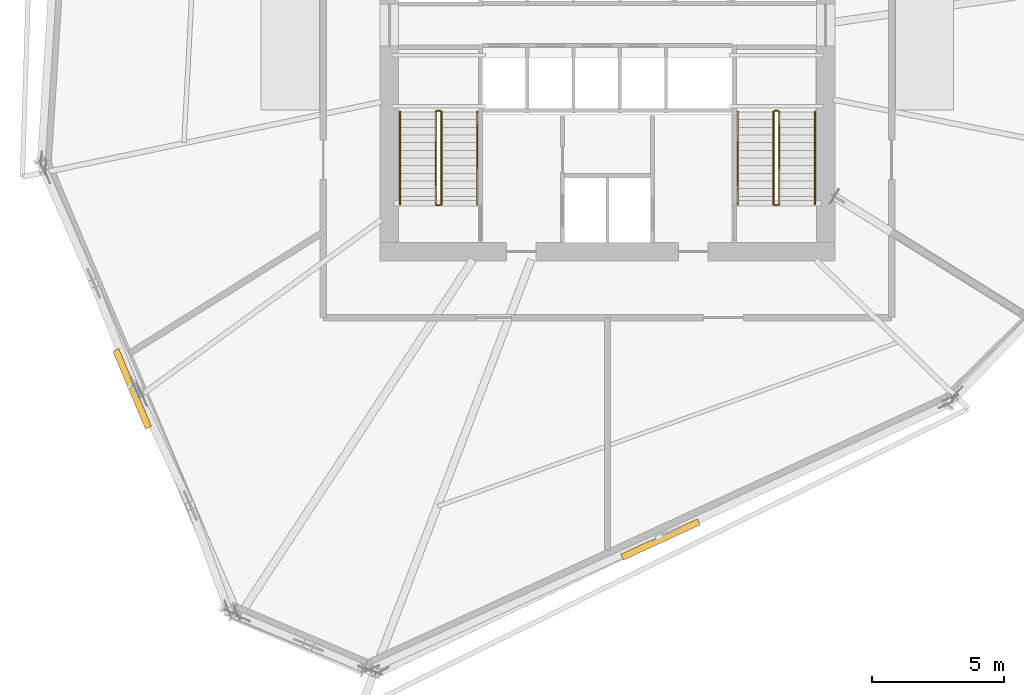
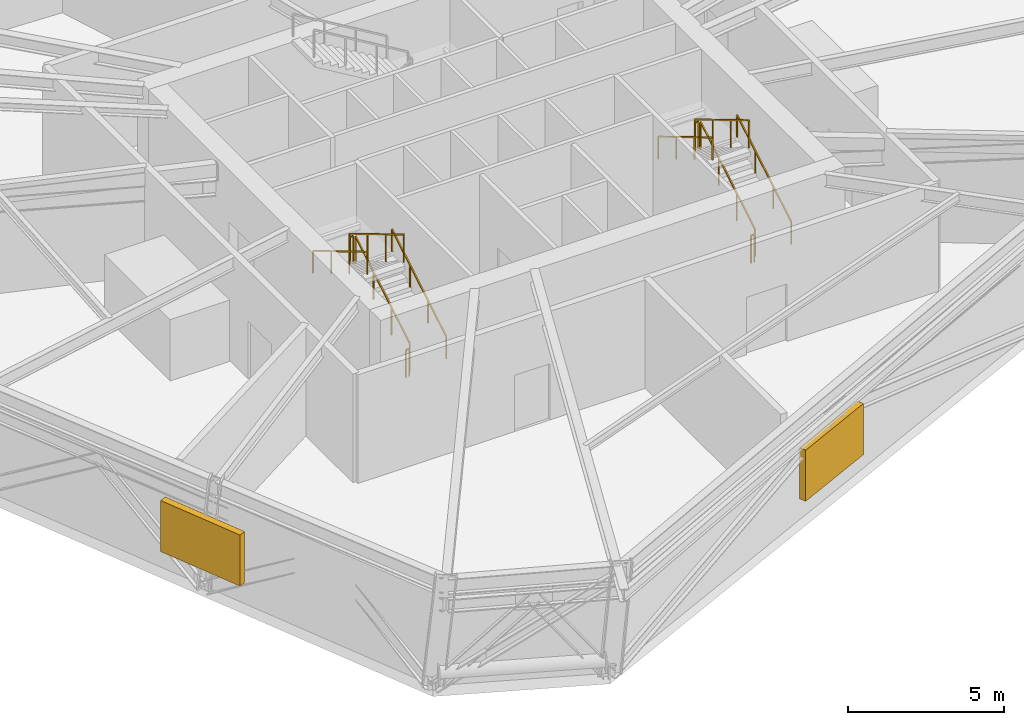
# One storey, part 12 of 15: 12 railings, 2 shading devices.
"""IFC4 building model written with IfcOpenShell, lengths in metres."""

from ifc_helpers import new_model, si_unit, direction, frame, origin, origin_2d, place, context, subcontext, project, spatial, rectangle, extrude, source, transform, mapped, material, type_object, element, save


model = new_model("IFC4")

# Units and contexts
model_context = context("Model", 3, precision=1e-05, world=origin(), true_north=direction((0.0, 1.0)))
body_context = subcontext(model_context, "Body", "Model", "MODEL_VIEW")
ifc_project = project(units=[si_unit("LENGTHUNIT", "METRE"), si_unit("AREAUNIT", "SQUARE_METRE"), si_unit("VOLUMEUNIT", "CUBIC_METRE"), si_unit("PLANEANGLEUNIT", "RADIAN"), si_unit("MASSUNIT", "GRAM", prefix="KILO")], contexts=[model_context])

# Site, building, storey
site_placement = place(None, origin())
site = spatial("IfcSite", under=ifc_project, at=site_placement, CompositionType="ELEMENT")
building_placement = place(site_placement, origin())
building = spatial("IfcBuilding", under=site, at=building_placement, Name="Olszyna Solenne Hotel", CompositionType="ELEMENT")
storey_placement = place(building_placement, frame((0.0, 0.0, 79.89990234375)))
storey = spatial("IfcBuildingStorey", under=building, at=storey_placement, Name="L20", CompositionType="ELEMENT", Elevation=79.89990234375)

# Railings
ifc_material_1 = material(Name="Anodised bronze aluminium", Category="aluminium")
railing_type_1 = type_object("IfcRailingType", Name="GR-110", PredefinedType="BALUSTRADE", material=ifc_material_1)
railing_1_placement = place(storey_placement, frame((31.719970703125, 20.949951171875, 0.173095703125)))
element("IfcRailing", 1, at=railing_1_placement, inside=storey, type_object=railing_type_1, Name="L20 ST1 stair guard 1", PredefinedType="BALUSTRADE", context=body_context, shape_type="SweptSolid", body=[
    extrude(rectangle(XDim=0.048095703125, YDim=0.048095703125, at=origin_2d()), frame((0.0, 0.0, 1.076171875), z_axis=(0.0, 0.858697190188, 0.512483302717), x_axis=(-1.0, 0.0, 0.0)), (0.0, 0.0, 1.0), 4.052734375),
    extrude(rectangle(XDim=0.0419921875, YDim=0.0419921875, at=origin_2d()), origin(), (0.0, 0.0, 1.0), 1.052001953125),
    extrude(rectangle(XDim=0.0419921875, YDim=0.0419921875, at=origin_2d()), frame((0.0, 1.159912109375, 0.6923828125)), (0.0, 0.0, 1.0), 1.052001953125),
    extrude(rectangle(XDim=0.0419921875, YDim=0.0419921875, at=origin_2d()), frame((0.0, 2.320068359375, 1.384521484375)), (0.0, 0.0, 1.0), 1.052001953125),
    extrude(rectangle(XDim=0.0419921875, YDim=0.0419921875, at=origin_2d()), frame((0.0, 3.47998046875, 2.076904296875)), (0.0, 0.0, 1.0), 1.052001953125),
])
railing_2_placement = place(storey_placement, frame((31.669921875, 24.47998046875, 2.25)))
element("IfcRailing", 2, at=railing_2_placement, inside=storey, type_object=railing_type_1, Name="L20 ST1 stair guard 2", PredefinedType="BALUSTRADE", context=body_context, shape_type="SweptSolid", body=[
    extrude(rectangle(XDim=0.048095703125, YDim=0.048095703125, at=origin_2d()), frame((0.0, 0.0, 1.076171875), z_axis=(-1.0, 0.0, 0.0), x_axis=(0.0, -1.0, 0.0)), (0.0, 0.0, 1.0), 0.119873046875),
    extrude(rectangle(XDim=0.0419921875, YDim=0.0419921875, at=origin_2d()), origin(), (0.0, 0.0, 1.0), 1.052001953125),
    extrude(rectangle(XDim=0.0419921875, YDim=0.0419921875, at=origin_2d()), frame((-0.119873046875, 0.0, 0.0)), (0.0, 0.0, 1.0), 1.052001953125),
])
railing_3_placement = place(storey_placement, frame((31.5, 24.429931640625, 2.423095703125)))
element("IfcRailing", 3, at=railing_3_placement, inside=storey, type_object=railing_type_1, Name="L20 ST1 stair guard 3", PredefinedType="BALUSTRADE", context=body_context, shape_type="SweptSolid", body=[
    extrude(rectangle(XDim=0.048095703125, YDim=0.048095703125, at=origin_2d()), frame((0.0, 0.0, 1.076171875), z_axis=(0.0, -0.858697190188, 0.512483302717), x_axis=(1.0, 0.0, 0.0)), (0.0, 0.0, 1.0), 4.052734375),
    extrude(rectangle(XDim=0.0419921875, YDim=0.0419921875, at=origin_2d()), origin(), (0.0, 0.0, 1.0), 1.052001953125),
    extrude(rectangle(XDim=0.0419921875, YDim=0.0419921875, at=origin_2d()), frame((0.0, -1.159912109375, 0.6923828125)), (0.0, 0.0, 1.0), 1.052001953125),
    extrude(rectangle(XDim=0.0419921875, YDim=0.0419921875, at=origin_2d()), frame((0.0, -2.320068359375, 1.384521484375)), (0.0, 0.0, 1.0), 1.052001953125),
    extrude(rectangle(XDim=0.0419921875, YDim=0.0419921875, at=origin_2d()), frame((0.0, -3.47998046875, 2.076904296875)), (0.0, 0.0, 1.0), 1.052001953125),
])
railing_4_placement = place(storey_placement, frame((31.669921875, 20.89990234375, 0.0)))
element("IfcRailing", 4, at=railing_4_placement, inside=storey, type_object=railing_type_1, Name="L20 ST1 stair guard 4", PredefinedType="BALUSTRADE", context=body_context, shape_type="SweptSolid", body=[
    extrude(rectangle(XDim=0.048095703125, YDim=0.048095703125, at=origin_2d()), frame((0.0, 0.0, 1.076171875), z_axis=(-1.0, 0.0, 0.0), x_axis=(0.0, -1.0, 0.0)), (0.0, 0.0, 1.0), 0.119873046875),
    extrude(rectangle(XDim=0.0419921875, YDim=0.0419921875, at=origin_2d()), origin(), (0.0, 0.0, 1.0), 1.052001953125),
    extrude(rectangle(XDim=0.0419921875, YDim=0.0419921875, at=origin_2d()), frame((-0.119873046875, 0.0, 0.0)), (0.0, 0.0, 1.0), 1.052001953125),
])
railing_5_placement = place(storey_placement, frame((44.5, 20.949951171875, 0.173095703125)))
element("IfcRailing", 5, at=railing_5_placement, inside=storey, type_object=railing_type_1, Name="L20 ST2 stair guard 1", PredefinedType="BALUSTRADE", context=body_context, shape_type="SweptSolid", body=[
    extrude(rectangle(XDim=0.048095703125, YDim=0.048095703125, at=origin_2d()), frame((0.0, 0.0, 1.076171875), z_axis=(0.0, 0.858697190188, 0.512483302717), x_axis=(-1.0, 0.0, 0.0)), (0.0, 0.0, 1.0), 4.052734375),
    extrude(rectangle(XDim=0.0419921875, YDim=0.0419921875, at=origin_2d()), origin(), (0.0, 0.0, 1.0), 1.052001953125),
    extrude(rectangle(XDim=0.0419921875, YDim=0.0419921875, at=origin_2d()), frame((0.0, 1.159912109375, 0.6923828125)), (0.0, 0.0, 1.0), 1.052001953125),
    extrude(rectangle(XDim=0.0419921875, YDim=0.0419921875, at=origin_2d()), frame((0.0, 2.320068359375, 1.384521484375)), (0.0, 0.0, 1.0), 1.052001953125),
    extrude(rectangle(XDim=0.0419921875, YDim=0.0419921875, at=origin_2d()), frame((0.0, 3.47998046875, 2.076904296875)), (0.0, 0.0, 1.0), 1.052001953125),
])
railing_6_placement = place(storey_placement, frame((44.449951171875, 24.47998046875, 2.25)))
element("IfcRailing", 6, at=railing_6_placement, inside=storey, type_object=railing_type_1, Name="L20 ST2 stair guard 2", PredefinedType="BALUSTRADE", context=body_context, shape_type="SweptSolid", body=[
    extrude(rectangle(XDim=0.048095703125, YDim=0.048095703125, at=origin_2d()), frame((0.0, 0.0, 1.076171875), z_axis=(-1.0, 0.0, 0.0), x_axis=(0.0, -1.0, 0.0)), (0.0, 0.0, 1.0), 0.119873046875),
    extrude(rectangle(XDim=0.0419921875, YDim=0.0419921875, at=origin_2d()), origin(), (0.0, 0.0, 1.0), 1.052001953125),
    extrude(rectangle(XDim=0.0419921875, YDim=0.0419921875, at=origin_2d()), frame((-0.119873046875, 0.0, 0.0)), (0.0, 0.0, 1.0), 1.052001953125),
])
railing_7_placement = place(storey_placement, frame((44.280029296875, 24.429931640625, 2.423095703125)))
element("IfcRailing", 7, at=railing_7_placement, inside=storey, type_object=railing_type_1, Name="L20 ST2 stair guard 3", PredefinedType="BALUSTRADE", context=body_context, shape_type="SweptSolid", body=[
    extrude(rectangle(XDim=0.048095703125, YDim=0.048095703125, at=origin_2d()), frame((0.0, 0.0, 1.076171875), z_axis=(0.0, -0.858697190188, 0.512483302717), x_axis=(1.0, 0.0, 0.0)), (0.0, 0.0, 1.0), 4.052734375),
    extrude(rectangle(XDim=0.0419921875, YDim=0.0419921875, at=origin_2d()), origin(), (0.0, 0.0, 1.0), 1.052001953125),
    extrude(rectangle(XDim=0.0419921875, YDim=0.0419921875, at=origin_2d()), frame((0.0, -1.159912109375, 0.6923828125)), (0.0, 0.0, 1.0), 1.052001953125),
    extrude(rectangle(XDim=0.0419921875, YDim=0.0419921875, at=origin_2d()), frame((0.0, -2.320068359375, 1.384521484375)), (0.0, 0.0, 1.0), 1.052001953125),
    extrude(rectangle(XDim=0.0419921875, YDim=0.0419921875, at=origin_2d()), frame((0.0, -3.47998046875, 2.076904296875)), (0.0, 0.0, 1.0), 1.052001953125),
])
railing_8_placement = place(storey_placement, frame((44.449951171875, 20.89990234375, 0.0)))
element("IfcRailing", 8, at=railing_8_placement, inside=storey, type_object=railing_type_1, Name="L20 ST2 stair guard 4", PredefinedType="BALUSTRADE", context=body_context, shape_type="SweptSolid", body=[
    extrude(rectangle(XDim=0.048095703125, YDim=0.048095703125, at=origin_2d()), frame((0.0, 0.0, 1.076171875), z_axis=(-1.0, 0.0, 0.0), x_axis=(0.0, -1.0, 0.0)), (0.0, 0.0, 1.0), 0.119873046875),
    extrude(rectangle(XDim=0.0419921875, YDim=0.0419921875, at=origin_2d()), origin(), (0.0, 0.0, 1.0), 1.052001953125),
    extrude(rectangle(XDim=0.0419921875, YDim=0.0419921875, at=origin_2d()), frame((-0.119873046875, 0.0, 0.0)), (0.0, 0.0, 1.0), 1.052001953125),
])
ifc_material_2 = material(Name="Steel S355J2", Category="steel")
railing_type_2 = type_object("IfcRailingType", Name="HR-090", PredefinedType="HANDRAIL", material=ifc_material_2)
railing_9_placement = place(storey_placement, frame((33.070068359375, 20.949951171875, 0.173095703125)))
element("IfcRailing", 9, at=railing_9_placement, inside=storey, type_object=railing_type_2, Name="L20 ST1 stair handrail 1", PredefinedType="HANDRAIL", context=body_context, shape_type="SweptSolid", body=[
    extrude(rectangle(XDim=0.048095703125, YDim=0.048095703125, at=origin_2d()), frame((0.0, 0.0, 0.8759765625), z_axis=(0.0, 0.858697190188, 0.512483302717), x_axis=(-1.0, 0.0, 0.0)), (0.0, 0.0, 1.0), 4.052734375),
    extrude(rectangle(XDim=0.0419921875, YDim=0.0419921875, at=origin_2d()), origin(), (0.0, 0.0, 1.0), 0.851806640625),
    extrude(rectangle(XDim=0.0419921875, YDim=0.0419921875, at=origin_2d()), frame((0.0, 1.159912109375, 0.6923828125)), (0.0, 0.0, 1.0), 0.851806640625),
    extrude(rectangle(XDim=0.0419921875, YDim=0.0419921875, at=origin_2d()), frame((0.0, 2.320068359375, 1.384521484375)), (0.0, 0.0, 1.0), 0.851806640625),
    extrude(rectangle(XDim=0.0419921875, YDim=0.0419921875, at=origin_2d()), frame((0.0, 3.47998046875, 2.076904296875)), (0.0, 0.0, 1.0), 0.851806640625),
])
railing_10_placement = place(storey_placement, frame((30.14990234375, 24.429931640625, 2.423095703125)))
element("IfcRailing", 10, at=railing_10_placement, inside=storey, type_object=railing_type_2, Name="L20 ST1 stair handrail 2", PredefinedType="HANDRAIL", context=body_context, shape_type="SweptSolid", body=[
    extrude(rectangle(XDim=0.048095703125, YDim=0.048095703125, at=origin_2d()), frame((0.0, 0.0, 0.8759765625), z_axis=(0.0, -0.858697190188, 0.512483302717), x_axis=(1.0, 0.0, 0.0)), (0.0, 0.0, 1.0), 4.052734375),
    extrude(rectangle(XDim=0.0419921875, YDim=0.0419921875, at=origin_2d()), origin(), (0.0, 0.0, 1.0), 0.851806640625),
    extrude(rectangle(XDim=0.0419921875, YDim=0.0419921875, at=origin_2d()), frame((0.0, -1.159912109375, 0.6923828125)), (0.0, 0.0, 1.0), 0.851806640625),
    extrude(rectangle(XDim=0.0419921875, YDim=0.0419921875, at=origin_2d()), frame((0.0, -2.320068359375, 1.384521484375)), (0.0, 0.0, 1.0), 0.851806640625),
    extrude(rectangle(XDim=0.0419921875, YDim=0.0419921875, at=origin_2d()), frame((0.0, -3.47998046875, 2.076904296875)), (0.0, 0.0, 1.0), 0.851806640625),
])
railing_11_placement = place(storey_placement, frame((45.85009765625, 20.949951171875, 0.173095703125)))
element("IfcRailing", 11, at=railing_11_placement, inside=storey, type_object=railing_type_2, Name="L20 ST2 stair handrail 1", PredefinedType="HANDRAIL", context=body_context, shape_type="SweptSolid", body=[
    extrude(rectangle(XDim=0.048095703125, YDim=0.048095703125, at=origin_2d()), frame((0.0, 0.0, 0.8759765625), z_axis=(0.0, 0.858697190188, 0.512483302717), x_axis=(-1.0, 0.0, 0.0)), (0.0, 0.0, 1.0), 4.052734375),
    extrude(rectangle(XDim=0.0419921875, YDim=0.0419921875, at=origin_2d()), origin(), (0.0, 0.0, 1.0), 0.851806640625),
    extrude(rectangle(XDim=0.0419921875, YDim=0.0419921875, at=origin_2d()), frame((0.0, 1.159912109375, 0.6923828125)), (0.0, 0.0, 1.0), 0.851806640625),
    extrude(rectangle(XDim=0.0419921875, YDim=0.0419921875, at=origin_2d()), frame((0.0, 2.320068359375, 1.384521484375)), (0.0, 0.0, 1.0), 0.851806640625),
    extrude(rectangle(XDim=0.0419921875, YDim=0.0419921875, at=origin_2d()), frame((0.0, 3.47998046875, 2.076904296875)), (0.0, 0.0, 1.0), 0.851806640625),
])
railing_12_placement = place(storey_placement, frame((42.929931640625, 24.429931640625, 2.423095703125)))
element("IfcRailing", 12, at=railing_12_placement, inside=storey, type_object=railing_type_2, Name="L20 ST2 stair handrail 2", PredefinedType="HANDRAIL", context=body_context, shape_type="SweptSolid", body=[
    extrude(rectangle(XDim=0.048095703125, YDim=0.048095703125, at=origin_2d()), frame((0.0, 0.0, 0.8759765625), z_axis=(0.0, -0.858697190188, 0.512483302717), x_axis=(1.0, 0.0, 0.0)), (0.0, 0.0, 1.0), 4.052734375),
    extrude(rectangle(XDim=0.0419921875, YDim=0.0419921875, at=origin_2d()), origin(), (0.0, 0.0, 1.0), 0.851806640625),
    extrude(rectangle(XDim=0.0419921875, YDim=0.0419921875, at=origin_2d()), frame((0.0, -1.159912109375, 0.6923828125)), (0.0, 0.0, 1.0), 0.851806640625),
    extrude(rectangle(XDim=0.0419921875, YDim=0.0419921875, at=origin_2d()), frame((0.0, -2.320068359375, 1.384521484375)), (0.0, 0.0, 1.0), 0.851806640625),
    extrude(rectangle(XDim=0.0419921875, YDim=0.0419921875, at=origin_2d()), frame((0.0, -3.47998046875, 2.076904296875)), (0.0, 0.0, 1.0), 0.851806640625),
])

# Shading devices
ifc_material_3 = material(Name="Terracotta cladding", Category="masonry")
shading_device_type = type_object("IfcShadingDeviceType", Name="SH-LV1", PredefinedType="JALOUSIE", material=ifc_material_3)
shared_shape = source(origin(), body_context, "Body", "SweptSolid", [
    extrude(rectangle(XDim=3.199951171875, YDim=0.25, at=origin_2d()), origin(), (0.0, 0.0, 1.0), 2.0),
])
for number, where, z_axis, x_axis, name in (
    (13, (40.0029296875, 8.2529296875, 0.821044921875), (0.0, 0.0, 1.0), (-0.9086539853, -0.41754991917, 0.0), "Terracotta acoustic plant louvre bank LV-L20-01"),
    (14, (20.015380859375, 13.95751953125, 0.821044921875), (0.0, 0.0, 1.0), (-0.386710961637, 0.92220097167, 0.0), "Terracotta acoustic plant louvre bank LV-L20-03"),
):
    element("IfcShadingDevice", number, at=place(storey_placement, frame(where, z_axis=z_axis, x_axis=x_axis)), inside=storey, type_object=shading_device_type, Name=name, PredefinedType="JALOUSIE", context=body_context, shape_type="MappedRepresentation", body=[
        mapped(shared_shape, transform((0.0, 0.0, 0.0), x_axis=(1.0, 0.0, 0.0), y_axis=(0.0, 1.0, 0.0), z_axis=(0.0, 0.0, 1.0), scale=1.0)),
    ])

save(model, "model.ifc")
